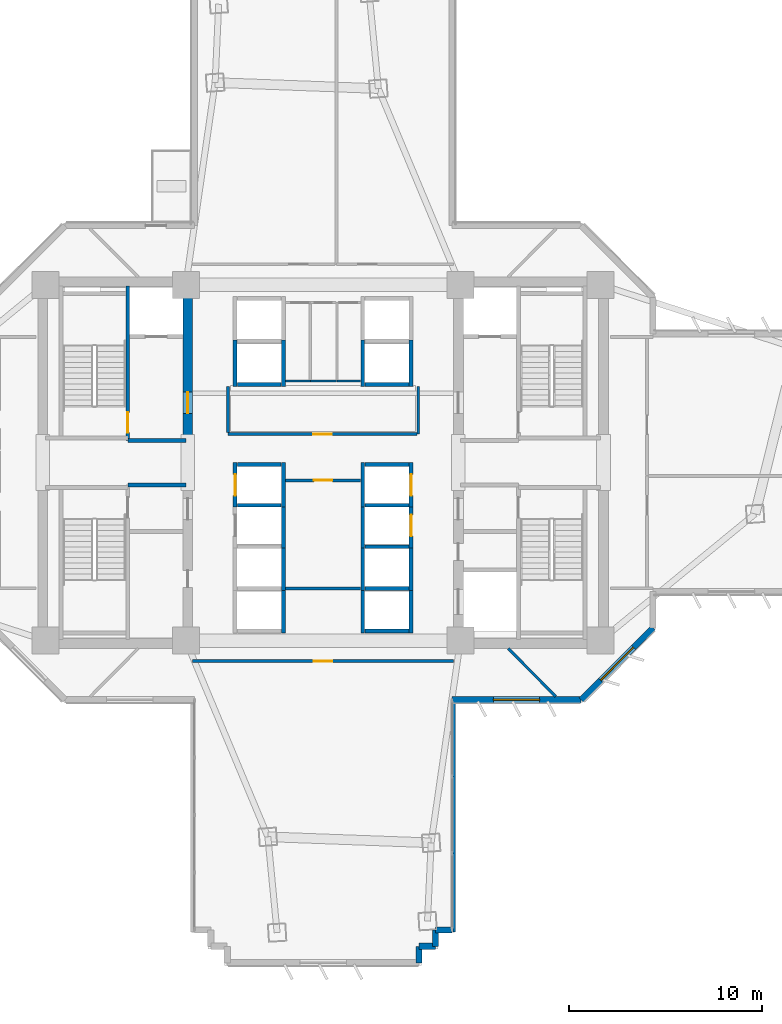
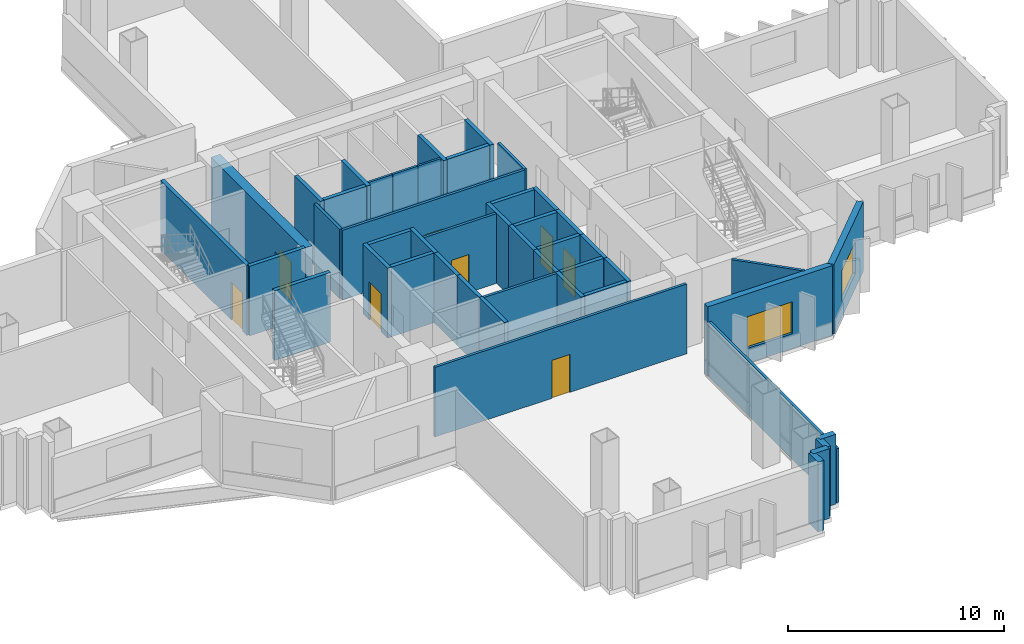
# One storey, part 6 of 14: 47 walls, 8 doors, 2 windows, 10 openings.
"""IFC4 building model written with IfcOpenShell, lengths in metres."""

from ifc_helpers import new_model, si_unit, direction, frame, frame_2d, origin, place, context, subcontext, project, spatial, rectangle, extrude, source, transform, mapped, material, layer, layer_set, type_object, element, fill, save


model = new_model("IFC4")

# Units and contexts
model_context = context("Model", 3, precision=1e-05, world=origin(), true_north=direction((0.0, 1.0)))
body_context = subcontext(model_context, "Body", "Model", "MODEL_VIEW")
ifc_project = project(units=[si_unit("LENGTHUNIT", "METRE"), si_unit("AREAUNIT", "SQUARE_METRE"), si_unit("VOLUMEUNIT", "CUBIC_METRE"), si_unit("PLANEANGLEUNIT", "RADIAN"), si_unit("MASSUNIT", "GRAM", prefix="KILO")], contexts=[model_context])

# Site, building, storey
site_placement = place(None, origin())
site = spatial("IfcSite", under=ifc_project, at=site_placement, CompositionType="ELEMENT")
building_placement = place(site_placement, origin())
building = spatial("IfcBuilding", under=site, at=building_placement, Name="Zahravan Cultural Tower", CompositionType="ELEMENT")
storey_placement = place(building_placement, frame((0.0, 0.0, 37.5)))
storey = spatial("IfcBuildingStorey", under=building, at=storey_placement, Name="L07", CompositionType="ELEMENT", Elevation=37.5)

# Wall, opening, door
ifc_material_1 = material(Name="Concrete C60/75", Category="concrete")
ifc_layer_1 = layer(ifc_material_1, 0.5)
ifc_layer_set_1 = layer_set([ifc_layer_1], Name="Concrete C60/75")
wall_type_1 = type_object("IfcWallType", Name="CW-SHEAR-500-C60", PredefinedType="SHEAR", material=ifc_layer_set_1)
wall_1_placement = place(storey_placement, frame((29.0, 28.050048828125, 0.0), z_axis=(0.0, 0.0, 1.0), x_axis=(0.0, 1.0, 0.0)))
wall_1 = element("IfcWall", 1, at=wall_1_placement, inside=storey, type_object=wall_type_1, Name="L07 Core Shear Wall CW-W-EN-L07", PredefinedType="SHEAR", context=body_context, shape_type="SweptSolid", body=[
    extrude(rectangle(XDim=8.550048828125, YDim=0.5, at=frame_2d((4.27490234375, 0.0))), origin(), (0.0, 0.0, 1.0), 3.949951171875),
])
opening_1_placement = place(wall_1_placement, frame((1.5, 0.0, 0.0)))
opening_1 = element("IfcOpeningElement", 2, at=opening_1_placement, cuts=wall_1, Name="Opening D-L07-05", PredefinedType="OPENING", context=body_context, shape_type="SweptSolid", body=[
    extrude(rectangle(XDim=1.10009765625, YDim=2.199951171875, at=frame_2d((0.550048828125, 1.10009765625))), frame((0.0, 0.260009765625, 0.0), z_axis=(0.0, -1.0, 0.0), x_axis=(1.0, 0.0, 0.0)), (0.0, 0.0, 1.0), 0.52001953125),
])
ifc_material_2 = material(Name="Steel ASTM A572 Grade 50", Category="steel")
door_type_1 = type_object("IfcDoorType", Name="DR-LOBBY-1100", OperationType="NOTDEFINED", PredefinedType="DOOR", material=ifc_material_2)
shared_shape_1 = source(origin(), body_context, "Body", "SweptSolid", [
    extrude(rectangle(XDim=1.10009765625, YDim=2.199951171875, at=frame_2d((0.550048828125, 1.10009765625))), frame((0.0, 0.02490234375, 0.0), z_axis=(0.0, -1.0, 0.0), x_axis=(1.0, 0.0, 0.0)), (0.0, 0.0, 1.0), 0.050048828125),
])
door_1_placement = place(opening_1_placement, origin())
door_1 = element("IfcDoor", 3, at=door_1_placement, inside=storey, type_object=door_type_1, Name="L07 Door D-L07-05", OperationType="SINGLE_SWING_RIGHT", OverallHeight=2.199951171875, OverallWidth=1.10009765625, PredefinedType="DOOR", context=body_context, shape_type="MappedRepresentation", body=[
    mapped(shared_shape_1, transform((0.0, 0.0, 0.0), x_axis=(1.0, 0.0, 0.0), y_axis=(0.0, 1.0, 0.0), z_axis=(0.0, 0.0, 1.0), scale=1.0)),
])
fill(opening_1, door_1)

# Wall, opening, window
ifc_material_3 = material(Name="Precast concrete C40/50", Category="concrete")
ifc_layer_2 = layer(ifc_material_3, 0.320068359375)
ifc_layer_set_2 = layer_set([ifc_layer_2], Name="Precast concrete C40/50")
wall_type_2 = type_object("IfcWallType", Name="EW-TC-320", PredefinedType="SOLIDWALL", material=ifc_layer_set_2)
wall_2_placement = place(storey_placement, frame((53.06005859375, 18.4580078125, 0.0), z_axis=(0.0, 0.0, 1.0), x_axis=(-0.707106781187, -0.707106781187, 0.0)))
wall_2 = element("IfcWall", 4, at=wall_2_placement, inside=storey, type_object=wall_type_2, Name="L07 Exterior Masonry Frame Wall 13", PredefinedType="SOLIDWALL", context=body_context, shape_type="SweptSolid", body=[
    extrude(rectangle(XDim=5.258056640625, YDim=0.320068359375, at=frame_2d((2.62890625, 0.0))), origin(), (0.0, 0.0, 1.0), 3.949951171875),
])
opening_2_placement = place(wall_2_placement, frame((1.428955078125, 0.0, 0.85009765625)))
opening_2 = element("IfcOpeningElement", 5, at=opening_2_placement, cuts=wall_2, Name="Opening WN-01", PredefinedType="OPENING", context=body_context, shape_type="SweptSolid", body=[
    extrude(rectangle(XDim=2.39990234375, YDim=1.800048828125, at=frame_2d((1.199951171875, 0.89990234375))), frame((0.0, 0.169921875, 0.0), z_axis=(0.0, -1.0, 0.0), x_axis=(1.0, 0.0, 0.0)), (0.0, 0.0, 1.0), 0.340087890625),
])
ifc_material_4 = material(Name="Low-E solar-control double glazing", Category="glass")
window_type = type_object("IfcWindowType", Name="WN-REC-2400X1800", PartitioningType="DOUBLE_PANEL_VERTICAL", PredefinedType="WINDOW", material=ifc_material_4)
shared_shape_2 = source(origin(), body_context, "Body", "SweptSolid", [
    extrude(rectangle(XDim=2.39990234375, YDim=1.800048828125, at=frame_2d((1.199951171875, 0.89990234375))), frame((0.0, 0.030029296875, 0.0), z_axis=(0.0, -1.0, 0.0), x_axis=(1.0, 0.0, 0.0)), (0.0, 0.0, 1.0), 0.06005859375),
])
window_1_placement = place(opening_2_placement, origin())
window_1 = element("IfcWindow", 6, at=window_1_placement, inside=storey, type_object=window_type, Name="L07 Recessed Solar Window 03", OverallHeight=1.800048828125, OverallWidth=2.39990234375, PartitioningType="DOUBLE_PANEL_VERTICAL", PredefinedType="WINDOW", context=body_context, shape_type="MappedRepresentation", body=[
    mapped(shared_shape_2, transform((0.0, 0.0, 0.0), x_axis=(1.0, 0.0, 0.0), y_axis=(0.0, 1.0, 0.0), z_axis=(0.0, 0.0, 1.0), scale=1.0)),
])
fill(opening_2, window_1)

wall_3_placement = place(storey_placement, frame((49.342041015625, 14.739990234375, 0.0), z_axis=(0.0, 0.0, 1.0), x_axis=(-1.0, 0.0, 0.0)))
wall_3 = element("IfcWall", 7, at=wall_3_placement, inside=storey, type_object=wall_type_2, Name="L07 Exterior Masonry Frame Wall 14", PredefinedType="SOLIDWALL", context=body_context, shape_type="SweptSolid", body=[
    extrude(rectangle(XDim=6.68212890625, YDim=0.320068359375, at=frame_2d((3.341064453125, 0.0))), origin(), (0.0, 0.0, 1.0), 3.949951171875),
])
opening_3_placement = place(wall_3_placement, frame((2.14111328125, 0.0, 0.85009765625)))
opening_3 = element("IfcOpeningElement", 8, at=opening_3_placement, cuts=wall_3, Name="Opening WN-01", PredefinedType="OPENING", context=body_context, shape_type="SweptSolid", body=[
    extrude(rectangle(XDim=2.39990234375, YDim=1.800048828125, at=frame_2d((1.199951171875, 0.89990234375))), frame((0.0, 0.169921875, 0.0), z_axis=(0.0, -1.0, 0.0), x_axis=(1.0, 0.0, 0.0)), (0.0, 0.0, 1.0), 0.340087890625),
])
window_2_placement = place(opening_3_placement, origin())
window_2 = element("IfcWindow", 9, at=window_2_placement, inside=storey, type_object=window_type, Name="L07 Recessed Solar Window 04", OverallHeight=1.800048828125, OverallWidth=2.39990234375, PartitioningType="DOUBLE_PANEL_VERTICAL", PredefinedType="WINDOW", context=body_context, shape_type="MappedRepresentation", body=[
    mapped(shared_shape_2, transform((0.0, 0.0, 0.0), x_axis=(1.0, 0.0, 0.0), y_axis=(0.0, 1.0, 0.0), z_axis=(0.0, 0.0, 1.0), scale=1.0)),
])
fill(opening_3, window_2)

# Wall, opening, door
ifc_material_5 = material(Name="Gypsum plasterboard partition")
ifc_layer_3 = layer(ifc_material_5, 0.139892578125)
ifc_layer_set_3 = layer_set([ifc_layer_3], Name="Gypsum plasterboard partition")
wall_type_3 = type_object("IfcWallType", Name="W-PART-140", PredefinedType="PARTITIONING", material=ifc_layer_set_3)
wall_4_placement = place(storey_placement, frame((34.054931640625, 26.080078125, 0.0), z_axis=(0.0, 0.0, 1.0), x_axis=(1.0, 0.0, 0.0)))
wall_4 = element("IfcWall", 10, at=wall_4_placement, inside=storey, type_object=wall_type_3, Name="L07 Interior Wall 074", PredefinedType="PARTITIONING", context=body_context, shape_type="SweptSolid", body=[
    extrude(rectangle(XDim=3.89013671875, YDim=0.139892578125, at=frame_2d((1.945068359375, 0.0))), origin(), (0.0, 0.0, 1.0), 3.949951171875),
])
opening_4_placement = place(wall_4_placement, frame((1.469970703125, 0.0, 0.0)))
opening_4 = element("IfcOpeningElement", 11, at=opening_4_placement, cuts=wall_4, Name="Opening D-L07-14", PredefinedType="OPENING", context=body_context, shape_type="SweptSolid", body=[
    extrude(rectangle(XDim=0.949951171875, YDim=2.14990234375, at=frame_2d((0.47509765625, 1.074951171875))), frame((0.0, 0.079833984375, 0.0), z_axis=(0.0, -1.0, 0.0), x_axis=(1.0, 0.0, 0.0)), (0.0, 0.0, 1.0), 0.159912109375),
])
ifc_material_6 = material(Name="Anodised bronze-aluminium mullion", Category="aluminium")
door_type_2 = type_object("IfcDoorType", Name="DR-ROOM-950", OperationType="NOTDEFINED", PredefinedType="DOOR", material=ifc_material_6)
shared_shape_3 = source(origin(), body_context, "Body", "SweptSolid", [
    extrude(rectangle(XDim=0.949951171875, YDim=2.14990234375, at=frame_2d((0.47509765625, 1.074951171875))), frame((0.0, 0.02490234375, 0.0), z_axis=(0.0, -1.0, 0.0), x_axis=(1.0, 0.0, 0.0)), (0.0, 0.0, 1.0), 0.050048828125),
])
door_2_placement = place(opening_4_placement, origin())
door_2 = element("IfcDoor", 12, at=door_2_placement, inside=storey, type_object=door_type_2, Name="L07 Door D-L07-14", OperationType="SINGLE_SWING_LEFT", OverallHeight=2.14990234375, OverallWidth=0.949951171875, PredefinedType="DOOR", context=body_context, shape_type="MappedRepresentation", body=[
    mapped(shared_shape_3, transform((0.0, 0.0, 0.0), x_axis=(1.0, 0.0, 0.0), y_axis=(0.0, 1.0, 0.0), z_axis=(0.0, 0.0, 1.0), scale=1.0)),
])
fill(opening_4, door_2)

wall_5_placement = place(storey_placement, frame((40.844970703125, 28.47998046875, 0.0), z_axis=(0.0, 0.0, 1.0), x_axis=(-1.0, 0.0, 0.0)))
wall_5 = element("IfcWall", 13, at=wall_5_placement, inside=storey, type_object=wall_type_3, Name="L07 Interior Wall 077", PredefinedType="PARTITIONING", context=body_context, shape_type="SweptSolid", body=[
    extrude(rectangle(XDim=9.764892578125, YDim=0.139892578125, at=frame_2d((4.88232421875, 0.0))), origin(), (0.0, 0.0, 1.0), 3.949951171875),
])
opening_5_placement = place(wall_5_placement, frame((4.407470703125, 0.0, 0.0)))
opening_5 = element("IfcOpeningElement", 14, at=opening_5_placement, cuts=wall_5, Name="Opening D-L07-15", PredefinedType="OPENING", context=body_context, shape_type="SweptSolid", body=[
    extrude(rectangle(XDim=0.949951171875, YDim=2.14990234375, at=frame_2d((0.47509765625, 1.074951171875))), frame((0.0, 0.079833984375, 0.0), z_axis=(0.0, -1.0, 0.0), x_axis=(1.0, 0.0, 0.0)), (0.0, 0.0, 1.0), 0.159912109375),
])
door_3_placement = place(opening_5_placement, origin())
door_3 = element("IfcDoor", 15, at=door_3_placement, inside=storey, type_object=door_type_2, Name="L07 Door D-L07-15", OperationType="SINGLE_SWING_RIGHT", OverallHeight=2.14990234375, OverallWidth=0.949951171875, PredefinedType="DOOR", context=body_context, shape_type="MappedRepresentation", body=[
    mapped(shared_shape_3, transform((0.0, 0.0, 0.0), x_axis=(1.0, 0.0, 0.0), y_axis=(0.0, 1.0, 0.0), z_axis=(0.0, 0.0, 1.0), scale=1.0)),
])
fill(opening_5, door_3)

wall_6_placement = place(storey_placement, frame((29.255859375, 16.739990234375, 0.0), z_axis=(0.0, 0.0, 1.0), x_axis=(1.0, 0.0, 0.0)))
wall_6 = element("IfcWall", 16, at=wall_6_placement, inside=storey, type_object=wall_type_3, Name="L07 Interior Wall 097", PredefinedType="PARTITIONING", context=body_context, shape_type="SweptSolid", body=[
    extrude(rectangle(XDim=13.48828125, YDim=0.139892578125, at=frame_2d((6.744140625, 0.0))), origin(), (0.0, 0.0, 1.0), 3.949951171875),
])
opening_6_placement = place(wall_6_placement, frame((6.26904296875, 0.0, 0.0)))
opening_6 = element("IfcOpeningElement", 17, at=opening_6_placement, cuts=wall_6, Name="Opening D-L07-22", PredefinedType="OPENING", context=body_context, shape_type="SweptSolid", body=[
    extrude(rectangle(XDim=0.949951171875, YDim=2.14990234375, at=frame_2d((0.47509765625, 1.074951171875))), frame((0.0, 0.079833984375, 0.0), z_axis=(0.0, -1.0, 0.0), x_axis=(1.0, 0.0, 0.0)), (0.0, 0.0, 1.0), 0.159912109375),
])
door_4_placement = place(opening_6_placement, origin())
door_4 = element("IfcDoor", 18, at=door_4_placement, inside=storey, type_object=door_type_2, Name="L07 Door D-L07-22", OperationType="SINGLE_SWING_LEFT", OverallHeight=2.14990234375, OverallWidth=0.949951171875, PredefinedType="DOOR", context=body_context, shape_type="MappedRepresentation", body=[
    mapped(shared_shape_3, transform((0.0, 0.0, 0.0), x_axis=(1.0, 0.0, 0.0), y_axis=(0.0, 1.0, 0.0), z_axis=(0.0, 0.0, 1.0), scale=1.0)),
])
fill(opening_6, door_4)

ifc_material_7 = material(Name="Concrete C45/55", Category="concrete")
ifc_layer_4 = layer(ifc_material_7, 0.199951171875)
ifc_layer_set_4 = layer_set([ifc_layer_4], Name="Concrete C45/55")
wall_type_4 = type_object("IfcWallType", Name="W-SHAFT-200", PredefinedType="SOLIDWALL", material=ifc_layer_set_4)
wall_7_placement = place(storey_placement, frame((25.89990234375, 28.14990234375, 0.0), z_axis=(0.0, 0.0, 1.0), x_axis=(0.0, 1.0, 0.0)))
wall_7 = element("IfcWall", 19, at=wall_7_placement, inside=storey, type_object=wall_type_4, Name="L07 Interior Wall 006", PredefinedType="SOLIDWALL", context=body_context, shape_type="SweptSolid", body=[
    extrude(rectangle(XDim=8.0, YDim=0.199951171875, at=frame_2d((4.0, 0.0))), origin(), (0.0, 0.0, 1.0), 3.949951171875),
])
opening_7_placement = place(wall_7_placement, frame((0.39990234375, 0.0, 0.0)))
opening_7 = element("IfcOpeningElement", 20, at=opening_7_placement, cuts=wall_7, Name="Opening D-L07-01", PredefinedType="OPENING", context=body_context, shape_type="SweptSolid", body=[
    extrude(rectangle(XDim=1.050048828125, YDim=2.14990234375, at=frame_2d((0.52490234375, 1.074951171875))), frame((0.0, 0.10986328125, 0.0), z_axis=(0.0, -1.0, 0.0), x_axis=(1.0, 0.0, 0.0)), (0.0, 0.0, 1.0), 0.219970703125),
])
door_type_3 = type_object("IfcDoorType", Name="DR-STAIR-1050", OperationType="NOTDEFINED", PredefinedType="DOOR", material=ifc_material_2)
shared_shape_4 = source(origin(), body_context, "Body", "SweptSolid", [
    extrude(rectangle(XDim=1.050048828125, YDim=2.14990234375, at=frame_2d((0.52490234375, 1.074951171875))), frame((0.0, 0.02490234375, 0.0), z_axis=(0.0, -1.0, 0.0), x_axis=(1.0, 0.0, 0.0)), (0.0, 0.0, 1.0), 0.050048828125),
])
door_5_placement = place(opening_7_placement, origin())
door_5 = element("IfcDoor", 21, at=door_5_placement, inside=storey, type_object=door_type_3, Name="L07 Door D-L07-01", OperationType="SINGLE_SWING_RIGHT", OverallHeight=2.14990234375, OverallWidth=1.050048828125, PredefinedType="DOOR", context=body_context, shape_type="MappedRepresentation", body=[
    mapped(shared_shape_4, transform((0.0, 0.0, 0.0), x_axis=(1.0, 0.0, 0.0), y_axis=(0.0, 1.0, 0.0), z_axis=(0.0, 0.0, 1.0), scale=1.0)),
])
fill(opening_7, door_5)

wall_8_placement = place(storey_placement, frame((31.449951171875, 24.699951171875, 0.0), z_axis=(0.0, 0.0, 1.0), x_axis=(0.0, 1.0, 0.0)))
wall_8 = element("IfcWall", 22, at=wall_8_placement, inside=storey, type_object=wall_type_4, Name="L07 Interior Wall 054", PredefinedType="SOLIDWALL", context=body_context, shape_type="SweptSolid", body=[
    extrude(rectangle(XDim=2.300048828125, YDim=0.199951171875, at=frame_2d((1.14990234375, 0.0))), origin(), (0.0, 0.0, 1.0), 3.949951171875),
])
opening_8_placement = place(wall_8_placement, frame((0.60009765625, 0.0, 0.0)))
opening_8 = element("IfcOpeningElement", 23, at=opening_8_placement, cuts=wall_8, Name="Opening LD-L07-04", PredefinedType="OPENING", context=body_context, shape_type="SweptSolid", body=[
    extrude(rectangle(XDim=1.10009765625, YDim=2.14990234375, at=frame_2d((0.550048828125, 1.074951171875))), frame((0.0, 0.10986328125, 0.0), z_axis=(0.0, -1.0, 0.0), x_axis=(1.0, 0.0, 0.0)), (0.0, 0.0, 1.0), 0.219970703125),
])
door_type_4 = type_object("IfcDoorType", Name="DR-LIFT-1100", OperationType="DOUBLE_DOOR_SLIDING", PredefinedType="DOOR", material=ifc_material_2)
shared_shape_5 = source(origin(), body_context, "Body", "SweptSolid", [
    extrude(rectangle(XDim=1.10009765625, YDim=2.14990234375, at=frame_2d((0.550048828125, 1.074951171875))), frame((0.0, 0.02490234375, 0.0), z_axis=(0.0, -1.0, 0.0), x_axis=(1.0, 0.0, 0.0)), (0.0, 0.0, 1.0), 0.050048828125),
])
door_6_placement = place(opening_8_placement, origin())
door_6 = element("IfcDoor", 24, at=door_6_placement, inside=storey, type_object=door_type_4, Name="L07 Door LD-L07-04", OperationType="DOUBLE_DOOR_SLIDING", OverallHeight=2.14990234375, OverallWidth=1.10009765625, PredefinedType="DOOR", context=body_context, shape_type="MappedRepresentation", body=[
    mapped(shared_shape_5, transform((0.0, 0.0, 0.0), x_axis=(1.0, 0.0, 0.0), y_axis=(0.0, 1.0, 0.0), z_axis=(0.0, 0.0, 1.0), scale=1.0)),
])
fill(opening_8, door_6)

wall_9_placement = place(storey_placement, frame((40.550048828125, 24.699951171875, 0.0), z_axis=(0.0, 0.0, 1.0), x_axis=(0.0, 1.0, 0.0)))
wall_9 = element("IfcWall", 25, at=wall_9_placement, inside=storey, type_object=wall_type_4, Name="L07 Interior Wall 061", PredefinedType="SOLIDWALL", context=body_context, shape_type="SweptSolid", body=[
    extrude(rectangle(XDim=2.300048828125, YDim=0.199951171875, at=frame_2d((1.14990234375, 0.0))), origin(), (0.0, 0.0, 1.0), 3.949951171875),
])
opening_9_placement = place(wall_9_placement, frame((0.60009765625, 0.0, 0.0)))
opening_9 = element("IfcOpeningElement", 26, at=opening_9_placement, cuts=wall_9, Name="Opening LD-L07-06", PredefinedType="OPENING", context=body_context, shape_type="SweptSolid", body=[
    extrude(rectangle(XDim=1.10009765625, YDim=2.14990234375, at=frame_2d((0.550048828125, 1.074951171875))), frame((0.0, 0.10986328125, 0.0), z_axis=(0.0, -1.0, 0.0), x_axis=(1.0, 0.0, 0.0)), (0.0, 0.0, 1.0), 0.219970703125),
])
door_7_placement = place(opening_9_placement, origin())
door_7 = element("IfcDoor", 27, at=door_7_placement, inside=storey, type_object=door_type_4, Name="L07 Door LD-L07-06", OperationType="DOUBLE_DOOR_SLIDING", OverallHeight=2.14990234375, OverallWidth=1.10009765625, PredefinedType="DOOR", context=body_context, shape_type="MappedRepresentation", body=[
    mapped(shared_shape_5, transform((0.0, 0.0, 0.0), x_axis=(1.0, 0.0, 0.0), y_axis=(0.0, 1.0, 0.0), z_axis=(0.0, 0.0, 1.0), scale=1.0)),
])
fill(opening_9, door_7)

wall_10_placement = place(storey_placement, frame((40.550048828125, 22.60009765625, 0.0), z_axis=(0.0, 0.0, 1.0), x_axis=(0.0, 1.0, 0.0)))
wall_10 = element("IfcWall", 28, at=wall_10_placement, inside=storey, type_object=wall_type_4, Name="L07 Interior Wall 065", PredefinedType="SOLIDWALL", context=body_context, shape_type="SweptSolid", body=[
    extrude(rectangle(XDim=2.2998046875, YDim=0.199951171875, at=frame_2d((1.14990234375, 0.0))), origin(), (0.0, 0.0, 1.0), 3.949951171875),
])
opening_10_placement = place(wall_10_placement, frame((0.60009765625, 0.0, 0.0)))
opening_10 = element("IfcOpeningElement", 29, at=opening_10_placement, cuts=wall_10, Name="Opening LD-L07-07", PredefinedType="OPENING", context=body_context, shape_type="SweptSolid", body=[
    extrude(rectangle(XDim=1.10009765625, YDim=2.14990234375, at=frame_2d((0.550048828125, 1.074951171875))), frame((0.0, 0.10986328125, 0.0), z_axis=(0.0, -1.0, 0.0), x_axis=(1.0, 0.0, 0.0)), (0.0, 0.0, 1.0), 0.219970703125),
])
door_8_placement = place(opening_10_placement, origin())
door_8 = element("IfcDoor", 30, at=door_8_placement, inside=storey, type_object=door_type_4, Name="L07 Door LD-L07-07", OperationType="DOUBLE_DOOR_SLIDING", OverallHeight=2.14990234375, OverallWidth=1.10009765625, PredefinedType="DOOR", context=body_context, shape_type="MappedRepresentation", body=[
    mapped(shared_shape_5, transform((0.0, 0.0, 0.0), x_axis=(1.0, 0.0, 0.0), y_axis=(0.0, 1.0, 0.0), z_axis=(0.0, 0.0, 1.0), scale=1.0)),
])
fill(opening_10, door_8)

# Walls
shared_shape_6 = source(origin(), body_context, "Body", "SweptSolid", [
    extrude(rectangle(XDim=0.849853515625, YDim=0.320068359375, at=frame_2d((0.4248046875, 0.0))), origin(), (0.0, 0.0, 1.0), 3.949951171875),
])
wall_11_placement = place(storey_placement, frame((42.659912109375, 2.840087890625, 0.0), z_axis=(0.0, 0.0, 1.0), x_axis=(-1.0, 0.0, 0.0)))
element("IfcWall", 31, at=wall_11_placement, inside=storey, type_object=wall_type_2, Name="L07 Exterior Masonry Frame Wall 15", PredefinedType="SOLIDWALL", context=body_context, shape_type="MappedRepresentation", body=[
    mapped(shared_shape_6, transform((0.0, 0.0, 0.0), x_axis=(1.0, 0.0, 0.0), y_axis=(0.0, 1.0, 0.0), z_axis=(0.0, 0.0, 1.0), scale=1.0)),
])
shared_shape_7 = source(origin(), body_context, "Body", "SweptSolid", [
    extrude(rectangle(XDim=0.85009765625, YDim=0.320068359375, at=frame_2d((0.425048828125, 0.0))), origin(), (0.0, 0.0, 1.0), 3.949951171875),
])
for number, where, z_axis, x_axis, name in (
    (32, (41.81005859375, 2.840087890625, 0.0), (0.0, 0.0, 1.0), (0.0, -1.0, 0.0), "L07 Exterior Masonry Frame Wall 16"),
    (33, (41.81005859375, 1.989990234375, 0.0), (0.0, 0.0, 1.0), (-1.0, 0.0, 0.0), "L07 Exterior Masonry Frame Wall 17"),
    (34, (40.9599609375, 1.989990234375, 0.0), (0.0, 0.0, 1.0), (0.0, -1.0, 0.0), "L07 Exterior Masonry Frame Wall 18"),
):
    element("IfcWall", number, at=place(storey_placement, frame(where, z_axis=z_axis, x_axis=x_axis)), inside=storey, type_object=wall_type_2, Name=name, PredefinedType="SOLIDWALL", context=body_context, shape_type="MappedRepresentation", body=[
        mapped(shared_shape_7, transform((0.0, 0.0, 0.0), x_axis=(1.0, 0.0, 0.0), y_axis=(0.0, 1.0, 0.0), z_axis=(0.0, 0.0, 1.0), scale=1.0)),
    ])
shared_shape_8 = source(origin(), body_context, "Body", "SweptSolid", [
    extrude(rectangle(XDim=3.0, YDim=0.199951171875, at=frame_2d((1.5, 0.0))), origin(), (0.0, 0.0, 1.0), 3.949951171875),
])
for number, where, z_axis, x_axis, name in (
    (35, (25.89990234375, 25.85009765625, 0.0), (0.0, 0.0, 1.0), (1.0, 0.0, 0.0), "L07 Interior Wall 010"),
    (36, (25.89990234375, 28.14990234375, 0.0), (0.0, 0.0, 1.0), (1.0, 0.0, 0.0), "L07 Interior Wall 012"),
):
    element("IfcWall", number, at=place(storey_placement, frame(where, z_axis=z_axis, x_axis=x_axis)), inside=storey, type_object=wall_type_4, Name=name, PredefinedType="SOLIDWALL", context=body_context, shape_type="MappedRepresentation", body=[
        mapped(shared_shape_8, transform((0.0, 0.0, 0.0), x_axis=(1.0, 0.0, 0.0), y_axis=(0.0, 1.0, 0.0), z_axis=(0.0, 0.0, 1.0), scale=1.0)),
    ])
shared_shape_9 = source(origin(), body_context, "Body", "SweptSolid", [
    extrude(rectangle(XDim=2.400146484375, YDim=0.199951171875, at=frame_2d((1.2001953125, 0.0))), origin(), (0.0, 0.0, 1.0), 3.949951171875),
])
for number, where, z_axis, x_axis, name in (
    (37, (31.449951171875, 30.949951171875, 0.0), (0.0, 0.0, 1.0), (0.0, 1.0, 0.0), "L07 Interior Wall 030"),
    (38, (33.949951171875, 30.949951171875, 0.0), (0.0, 0.0, 1.0), (0.0, 1.0, 0.0), "L07 Interior Wall 031"),
    (39, (38.050048828125, 30.949951171875, 0.0), (0.0, 0.0, 1.0), (0.0, 1.0, 0.0), "L07 Interior Wall 037"),
    (40, (40.550048828125, 30.949951171875, 0.0), (0.0, 0.0, 1.0), (0.0, 1.0, 0.0), "L07 Interior Wall 038"),
):
    element("IfcWall", number, at=place(storey_placement, frame(where, z_axis=z_axis, x_axis=x_axis)), inside=storey, type_object=wall_type_4, Name=name, PredefinedType="SOLIDWALL", context=body_context, shape_type="MappedRepresentation", body=[
        mapped(shared_shape_9, transform((0.0, 0.0, 0.0), x_axis=(1.0, 0.0, 0.0), y_axis=(0.0, 1.0, 0.0), z_axis=(0.0, 0.0, 1.0), scale=1.0)),
    ])
shared_shape_10 = source(origin(), body_context, "Body", "SweptSolid", [
    extrude(rectangle(XDim=2.260009765625, YDim=0.199951171875, at=frame_2d((1.1298828125, 0.0))), origin(), (0.0, 0.0, 1.0), 3.949951171875),
])
for number, where, z_axis, x_axis, name in (
    (41, (31.570068359375, 31.050048828125, 0.0), (0.0, 0.0, 1.0), (1.0, 0.0, 0.0), "L07 Interior Wall 032"),
    (42, (38.169921875, 31.050048828125, 0.0), (0.0, 0.0, 1.0), (1.0, 0.0, 0.0), "L07 Interior Wall 039"),
    (43, (38.169921875, 20.5, 0.0), (0.0, 0.0, 1.0), (1.0, 0.0, 0.0), "L07 Interior Wall 049"),
    (44, (38.169921875, 22.64990234375, 0.0), (0.0, 0.0, 1.0), (1.0, 0.0, 0.0), "L07 Interior Wall 050"),
    (45, (38.169921875, 18.300048828125, 0.0), (0.0, 0.0, 1.0), (1.0, 0.0, 0.0), "L07 Interior Wall 053"),
    (46, (31.570068359375, 24.800048828125, 0.0), (0.0, 0.0, 1.0), (1.0, 0.0, 0.0), "L07 Interior Wall 056"),
    (47, (31.570068359375, 26.89990234375, 0.0), (0.0, 0.0, 1.0), (1.0, 0.0, 0.0), "L07 Interior Wall 057"),
    (48, (38.169921875, 24.800048828125, 0.0), (0.0, 0.0, 1.0), (1.0, 0.0, 0.0), "L07 Interior Wall 062"),
    (49, (38.169921875, 26.89990234375, 0.0), (0.0, 0.0, 1.0), (1.0, 0.0, 0.0), "L07 Interior Wall 063"),
):
    element("IfcWall", number, at=place(storey_placement, frame(where, z_axis=z_axis, x_axis=x_axis)), inside=storey, type_object=wall_type_4, Name=name, PredefinedType="SOLIDWALL", context=body_context, shape_type="MappedRepresentation", body=[
        mapped(shared_shape_10, transform((0.0, 0.0, 0.0), x_axis=(1.0, 0.0, 0.0), y_axis=(0.0, 1.0, 0.0), z_axis=(0.0, 0.0, 1.0), scale=1.0)),
    ])
shared_shape_11 = source(origin(), body_context, "Body", "SweptSolid", [
    extrude(rectangle(XDim=2.35009765625, YDim=0.199951171875, at=frame_2d((1.175048828125, 0.0))), origin(), (0.0, 0.0, 1.0), 3.949951171875),
])
for number, where, z_axis, x_axis, name in (
    (50, (33.949951171875, 20.39990234375, 0.0), (0.0, 0.0, 1.0), (0.0, 1.0, 0.0), "L07 Interior Wall 041"),
    (51, (33.949951171875, 18.199951171875, 0.0), (0.0, 0.0, 1.0), (0.0, 1.0, 0.0), "L07 Interior Wall 045"),
    (52, (38.050048828125, 20.39990234375, 0.0), (0.0, 0.0, 1.0), (0.0, 1.0, 0.0), "L07 Interior Wall 047"),
    (53, (40.550048828125, 20.39990234375, 0.0), (0.0, 0.0, 1.0), (0.0, 1.0, 0.0), "L07 Interior Wall 048"),
    (54, (38.050048828125, 18.199951171875, 0.0), (0.0, 0.0, 1.0), (0.0, 1.0, 0.0), "L07 Interior Wall 051"),
    (55, (40.550048828125, 18.199951171875, 0.0), (0.0, 0.0, 1.0), (0.0, 1.0, 0.0), "L07 Interior Wall 052"),
):
    element("IfcWall", number, at=place(storey_placement, frame(where, z_axis=z_axis, x_axis=x_axis)), inside=storey, type_object=wall_type_4, Name=name, PredefinedType="SOLIDWALL", context=body_context, shape_type="MappedRepresentation", body=[
        mapped(shared_shape_11, transform((0.0, 0.0, 0.0), x_axis=(1.0, 0.0, 0.0), y_axis=(0.0, 1.0, 0.0), z_axis=(0.0, 0.0, 1.0), scale=1.0)),
    ])
shared_shape_12 = source(origin(), body_context, "Body", "SweptSolid", [
    extrude(rectangle(XDim=2.300048828125, YDim=0.199951171875, at=frame_2d((1.14990234375, 0.0))), origin(), (0.0, 0.0, 1.0), 3.949951171875),
])
for number, where, z_axis, x_axis, name in (
    (56, (33.949951171875, 24.699951171875, 0.0), (0.0, 0.0, 1.0), (0.0, 1.0, 0.0), "L07 Interior Wall 055"),
    (57, (38.050048828125, 24.699951171875, 0.0), (0.0, 0.0, 1.0), (0.0, 1.0, 0.0), "L07 Interior Wall 060"),
):
    element("IfcWall", number, at=place(storey_placement, frame(where, z_axis=z_axis, x_axis=x_axis)), inside=storey, type_object=wall_type_4, Name=name, PredefinedType="SOLIDWALL", context=body_context, shape_type="MappedRepresentation", body=[
        mapped(shared_shape_12, transform((0.0, 0.0, 0.0), x_axis=(1.0, 0.0, 0.0), y_axis=(0.0, 1.0, 0.0), z_axis=(0.0, 0.0, 1.0), scale=1.0)),
    ])
shared_shape_13 = source(origin(), body_context, "Body", "SweptSolid", [
    extrude(rectangle(XDim=2.2998046875, YDim=0.199951171875, at=frame_2d((1.14990234375, 0.0))), origin(), (0.0, 0.0, 1.0), 3.949951171875),
])
for number, where, z_axis, x_axis, name in (
    (58, (33.949951171875, 22.60009765625, 0.0), (0.0, 0.0, 1.0), (0.0, 1.0, 0.0), "L07 Interior Wall 059"),
    (59, (38.050048828125, 22.60009765625, 0.0), (0.0, 0.0, 1.0), (0.0, 1.0, 0.0), "L07 Interior Wall 064"),
):
    element("IfcWall", number, at=place(storey_placement, frame(where, z_axis=z_axis, x_axis=x_axis)), inside=storey, type_object=wall_type_4, Name=name, PredefinedType="SOLIDWALL", context=body_context, shape_type="MappedRepresentation", body=[
        mapped(shared_shape_13, transform((0.0, 0.0, 0.0), x_axis=(1.0, 0.0, 0.0), y_axis=(0.0, 1.0, 0.0), z_axis=(0.0, 0.0, 1.0), scale=1.0)),
    ])
ifc_layer_5 = layer(ifc_material_5, 0.114990234375)
ifc_layer_set_5 = layer_set([ifc_layer_5], Name="Gypsum plasterboard partition")
wall_type_5 = type_object("IfcWallType", Name="W-WC-115", PredefinedType="PARTITIONING", material=ifc_layer_set_5)
shared_shape_14 = source(origin(), body_context, "Body", "SweptSolid", [
    extrude(rectangle(XDim=1.22509765625, YDim=0.114990234375, at=frame_2d((0.612548828125, 0.0))), origin(), (0.0, 0.0, 1.0), 3.949951171875),
])
wall_12_placement = place(storey_placement, frame((37.945068359375, 31.219970703125, 0.0), z_axis=(0.0, 0.0, 1.0), x_axis=(-1.0, 0.0, 0.0)))
element("IfcWall", 60, at=wall_12_placement, inside=storey, type_object=wall_type_5, Name="L07 Interior Wall 066", PredefinedType="PARTITIONING", context=body_context, shape_type="MappedRepresentation", body=[
    mapped(shared_shape_14, transform((0.0, 0.0, 0.0), x_axis=(1.0, 0.0, 0.0), y_axis=(0.0, 1.0, 0.0), z_axis=(0.0, 0.0, 1.0), scale=1.0)),
])
shared_shape_15 = source(origin(), body_context, "Body", "SweptSolid", [
    extrude(rectangle(XDim=1.28515625, YDim=0.114990234375, at=frame_2d((0.642578125, 0.0))), origin(), (0.0, 0.0, 1.0), 3.949951171875),
])
wall_13_placement = place(storey_placement, frame((35.340087890625, 31.219970703125, 0.0), z_axis=(0.0, 0.0, 1.0), x_axis=(-1.0, 0.0, 0.0)))
element("IfcWall", 61, at=wall_13_placement, inside=storey, type_object=wall_type_5, Name="L07 Interior Wall 069", PredefinedType="PARTITIONING", context=body_context, shape_type="MappedRepresentation", body=[
    mapped(shared_shape_15, transform((0.0, 0.0, 0.0), x_axis=(1.0, 0.0, 0.0), y_axis=(0.0, 1.0, 0.0), z_axis=(0.0, 0.0, 1.0), scale=1.0)),
])
shared_shape_16 = source(origin(), body_context, "Body", "SweptSolid", [
    extrude(rectangle(XDim=1.33984375, YDim=0.114990234375, at=frame_2d((0.669921875, 0.0))), origin(), (0.0, 0.0, 1.0), 3.949951171875),
])
wall_14_placement = place(storey_placement, frame((36.699951171875, 31.219970703125, 0.0), z_axis=(0.0, 0.0, 1.0), x_axis=(-1.0, 0.0, 0.0)))
element("IfcWall", 62, at=wall_14_placement, inside=storey, type_object=wall_type_5, Name="L07 Interior Wall 072", PredefinedType="PARTITIONING", context=body_context, shape_type="MappedRepresentation", body=[
    mapped(shared_shape_16, transform((0.0, 0.0, 0.0), x_axis=(1.0, 0.0, 0.0), y_axis=(0.0, 1.0, 0.0), z_axis=(0.0, 0.0, 1.0), scale=1.0)),
])
shared_shape_17 = source(origin(), body_context, "Body", "SweptSolid", [
    extrude(rectangle(XDim=3.89013671875, YDim=0.139892578125, at=frame_2d((1.945068359375, 0.0))), origin(), (0.0, 0.0, 1.0), 3.949951171875),
])
wall_15_placement = place(storey_placement, frame((37.945068359375, 20.489990234375, 0.0), z_axis=(0.0, 0.0, 1.0), x_axis=(-1.0, 0.0, 0.0)))
element("IfcWall", 63, at=wall_15_placement, inside=storey, type_object=wall_type_3, Name="L07 Interior Wall 075", PredefinedType="PARTITIONING", context=body_context, shape_type="MappedRepresentation", body=[
    mapped(shared_shape_17, transform((0.0, 0.0, 0.0), x_axis=(1.0, 0.0, 0.0), y_axis=(0.0, 1.0, 0.0), z_axis=(0.0, 0.0, 1.0), scale=1.0)),
])
shared_shape_18 = source(origin(), body_context, "Body", "SweptSolid", [
    extrude(rectangle(XDim=2.469970703125, YDim=0.139892578125, at=frame_2d((1.23486328125, 0.0))), origin(), (0.0, 0.0, 1.0), 3.949951171875),
])
wall_16_placement = place(storey_placement, frame((40.919921875, 30.949951171875, 0.0), z_axis=(0.0, 0.0, 1.0), x_axis=(0.0, -1.0, 0.0)))
element("IfcWall", 64, at=wall_16_placement, inside=storey, type_object=wall_type_3, Name="L07 Interior Wall 076", PredefinedType="PARTITIONING", context=body_context, shape_type="MappedRepresentation", body=[
    mapped(shared_shape_18, transform((0.0, 0.0, 0.0), x_axis=(1.0, 0.0, 0.0), y_axis=(0.0, 1.0, 0.0), z_axis=(0.0, 0.0, 1.0), scale=1.0)),
])
shared_shape_19 = source(origin(), body_context, "Body", "SweptSolid", [
    extrude(rectangle(XDim=2.39501953125, YDim=0.139892578125, at=frame_2d((1.197509765625, 0.0))), origin(), (0.0, 0.0, 1.0), 3.949951171875),
])
wall_17_placement = place(storey_placement, frame((31.080078125, 28.554931640625, 0.0), z_axis=(0.0, 0.0, 1.0), x_axis=(0.0, 1.0, 0.0)))
element("IfcWall", 65, at=wall_17_placement, inside=storey, type_object=wall_type_3, Name="L07 Interior Wall 078", PredefinedType="PARTITIONING", context=body_context, shape_type="MappedRepresentation", body=[
    mapped(shared_shape_19, transform((0.0, 0.0, 0.0), x_axis=(1.0, 0.0, 0.0), y_axis=(0.0, 1.0, 0.0), z_axis=(0.0, 0.0, 1.0), scale=1.0)),
])
shared_shape_20 = source(origin(), body_context, "Body", "SweptSolid", [
    extrude(rectangle(XDim=3.505126953125, YDim=0.139892578125, at=frame_2d((1.75244140625, 0.0))), origin(), (0.0, 0.0, 1.0), 3.949951171875),
])
wall_18_placement = place(storey_placement, frame((48.035888671875, 14.905029296875, 0.0), z_axis=(0.0, 0.0, 1.0), x_axis=(-0.703790445361, 0.710407635811, 0.0)))
element("IfcWall", 66, at=wall_18_placement, inside=storey, type_object=wall_type_3, Name="L07 Interior Wall 087", PredefinedType="PARTITIONING", context=body_context, shape_type="MappedRepresentation", body=[
    mapped(shared_shape_20, transform((0.0, 0.0, 0.0), x_axis=(1.0, 0.0, 0.0), y_axis=(0.0, 1.0, 0.0), z_axis=(0.0, 0.0, 1.0), scale=1.0)),
])
shared_shape_21 = source(origin(), body_context, "Body", "SweptSolid", [
    extrude(rectangle(XDim=11.85498046875, YDim=0.139892578125, at=frame_2d((5.927490234375, 0.0))), origin(), (0.0, 0.0, 1.0), 3.080078125),
])
wall_19_placement = place(storey_placement, frame((42.78369140625, 14.574951171875, 0.0), z_axis=(0.0, 0.0, 1.0), x_axis=(-0.000308908919, -0.999999952288, 0.0)))
element("IfcWall", 67, at=wall_19_placement, inside=storey, type_object=wall_type_3, Name="L07 Interior Wall 098", PredefinedType="PARTITIONING", context=body_context, shape_type="MappedRepresentation", body=[
    mapped(shared_shape_21, transform((0.0, 0.0, 0.0), x_axis=(1.0, 0.0, 0.0), y_axis=(0.0, 1.0, 0.0), z_axis=(0.0, 0.0, 1.0), scale=1.0)),
])

save(model, "model.ifc")
